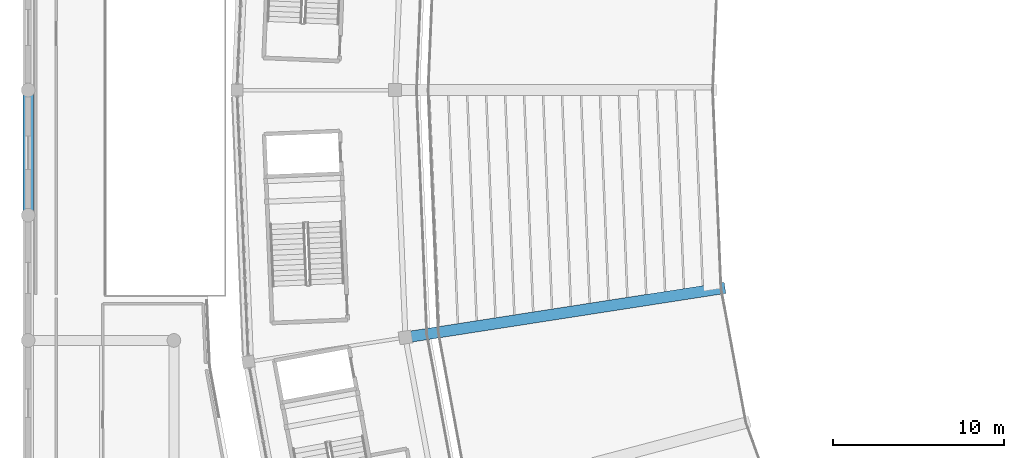
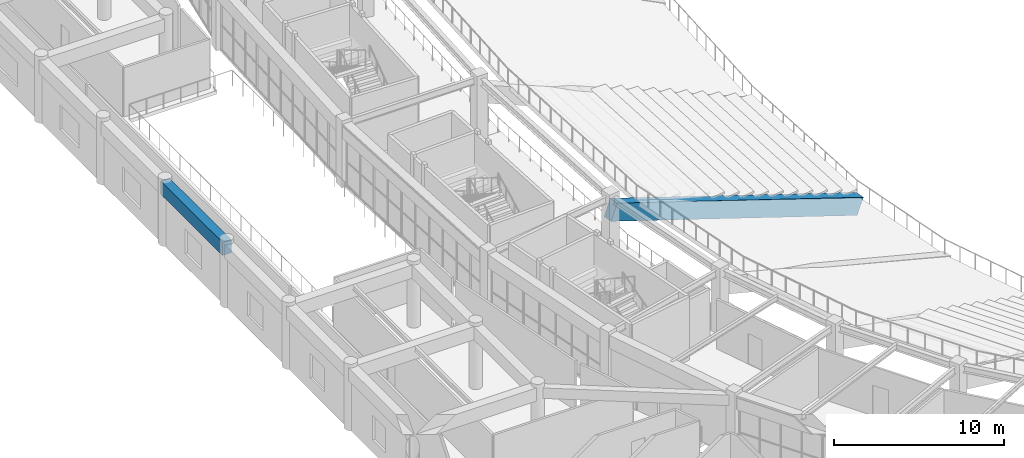
# One storey, part 25 of 137: 2 beams.
"""IFC4 building model written with IfcOpenShell, lengths in metres."""

from ifc_helpers import new_model, si_unit, direction, frame, origin, origin_2d, place, context, subcontext, project, spatial, rectangle, extrude, material, material_profile, profile_set, type_object, element, save


model = new_model("IFC4")

# Units and contexts
model_context = context("Model", 3, precision=1e-05, world=origin(), true_north=direction((0.0, 1.0)))
body_context = subcontext(model_context, "Body", "Model", "MODEL_VIEW")
ifc_project = project(units=[si_unit("LENGTHUNIT", "METRE"), si_unit("AREAUNIT", "SQUARE_METRE"), si_unit("VOLUMEUNIT", "CUBIC_METRE"), si_unit("PLANEANGLEUNIT", "RADIAN"), si_unit("MASSUNIT", "GRAM", prefix="KILO")], contexts=[model_context])

# Site, building, storey
site_placement = place(None, origin())
site = spatial("IfcSite", under=ifc_project, at=site_placement, CompositionType="ELEMENT")
building_placement = place(site_placement, origin())
building = spatial("IfcBuilding", under=site, at=building_placement, Name="Mphavela Belvedere Stadium", CompositionType="ELEMENT")
storey_placement = place(building_placement, frame((0.0, 0.0, 19.199951171875)))
storey = spatial("IfcBuildingStorey", under=building, at=storey_placement, Name="L04", CompositionType="ELEMENT", Elevation=19.199951171875)

# Beams
ifc_material_1 = material(Name="Concrete C40/50", Category="concrete")
ifc_material_profile_1 = material_profile(ifc_material_1, rectangle(XDim=0.60009765625, YDim=0.949951171875, at=origin_2d()), Name="RC 600x950")
ifc_profile_set_1 = profile_set([ifc_material_profile_1], Name="Concrete C40/50")
beam_type_1 = type_object("IfcBeamType", Name="BM-ENTABLATURE-950", PredefinedType="SPANDREL", material=ifc_profile_set_1)
beam_1_placement = place(storey_placement, frame((0.0, 79.699951171875, 4.06494140625), z_axis=(0.0, 1.0, 0.0), x_axis=(-1.0, 0.0, 0.0)))
element("IfcBeam", 1, at=beam_1_placement, inside=storey, type_object=beam_type_1, Name="West Planted Eaves Peristyle Colonnade entablature beam Y L04 1-5", PredefinedType="SPANDREL", context=body_context, shape_type="SweptSolid", body=[
    extrude(rectangle(XDim=0.60009765625, YDim=0.949951171875, at=origin_2d()), origin(), (0.0, 0.0, 1.0), 7.300048828125),
])
ifc_material_2 = material(Name="Precast concrete C45/55", Category="concrete")
ifc_material_profile_2 = material_profile(ifc_material_2, rectangle(XDim=0.64990234375, YDim=1.199951171875, at=origin_2d()), Name="PC 650x1200")
ifc_profile_set_2 = profile_set([ifc_material_profile_2], Name="Precast concrete C45/55")
beam_type_2 = type_object("IfcBeamType", Name="BM-RAKER-UPPER", PredefinedType="USERDEFINED", material=ifc_profile_set_2)
beam_2_placement = place(storey_placement, frame((40.4072265625, 75.43017578125, -4.349853515625), z_axis=(-0.912368182234, -0.141509277986, 0.38413464344), x_axis=(0.153268482759, -0.98818458407, 0.0)))
element("IfcBeam", 2, at=beam_2_placement, inside=storey, type_object=beam_type_2, Name="Upper tier precast cantilever raker beam RK-U-26", ObjectType="RAKER BEAM", PredefinedType="USERDEFINED", context=body_context, shape_type="SweptSolid", body=[
    extrude(rectangle(XDim=0.64990234375, YDim=1.199951171875, at=origin_2d()), origin(), (0.0, 0.0, 1.0), 20.17529296875),
])

save(model, "model.ifc")
